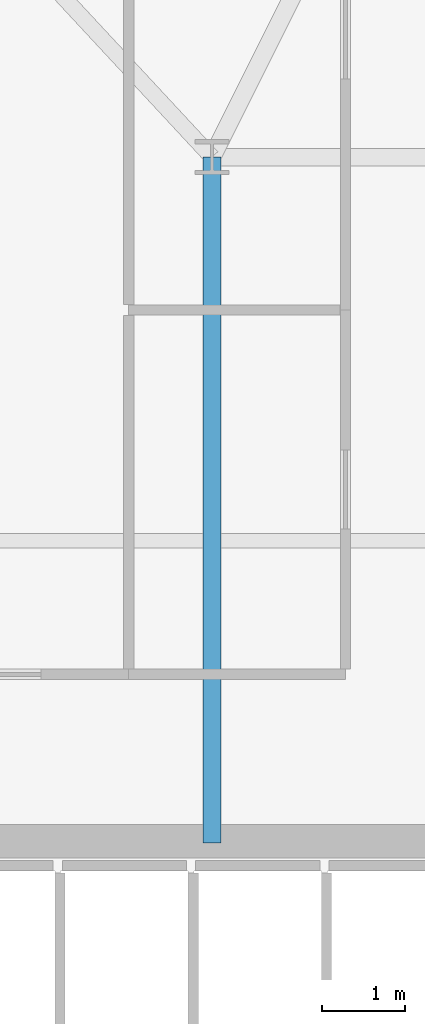
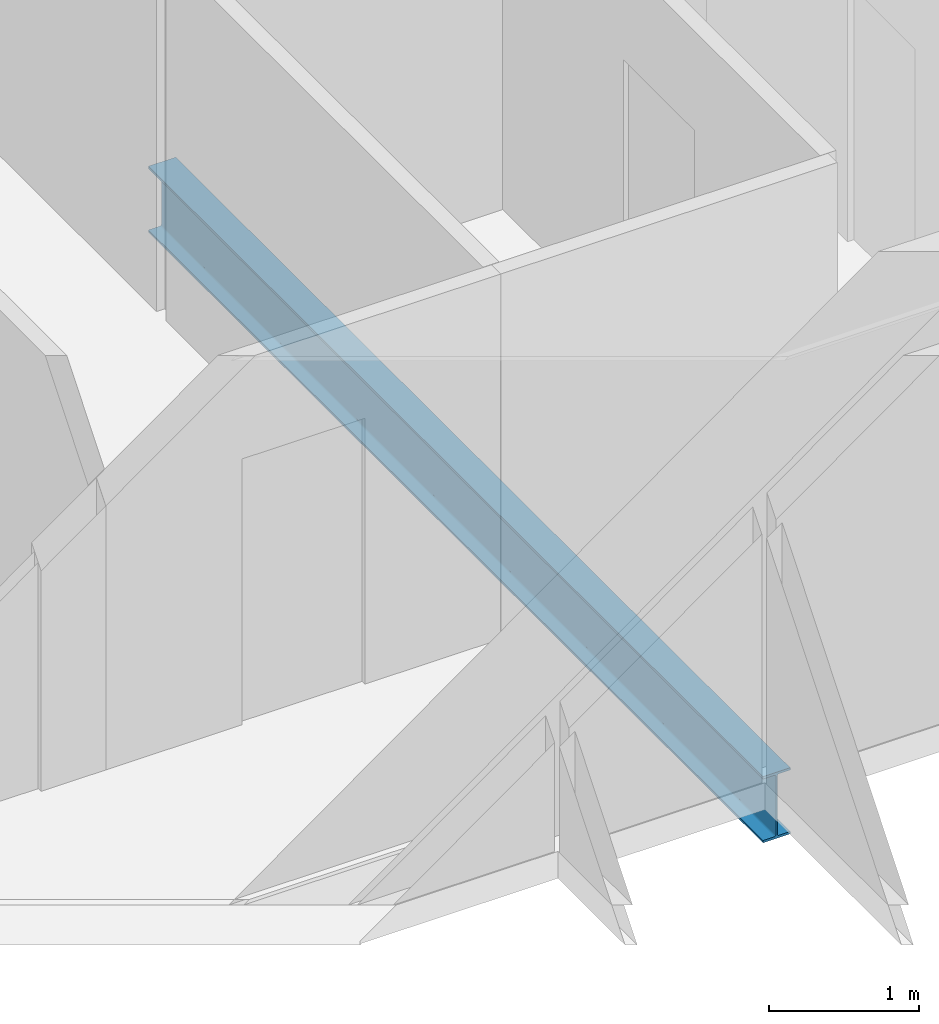
# One storey, part 6 of 33: 1 beam.
"""IFC4 building model written with IfcOpenShell, lengths in metres."""

from ifc_helpers import new_model, si_unit, direction, frame, origin, origin_2d, place, context, subcontext, project, spatial, i_section, extrude, material, material_profile, profile_set, type_object, element, save


model = new_model("IFC4")

# Units and contexts
model_context = context("Model", 3, precision=1e-05, world=origin(), true_north=direction((0.0, 1.0)))
body_context = subcontext(model_context, "Body", "Model", "MODEL_VIEW")
ifc_project = project(units=[si_unit("LENGTHUNIT", "METRE"), si_unit("AREAUNIT", "SQUARE_METRE"), si_unit("VOLUMEUNIT", "CUBIC_METRE"), si_unit("PLANEANGLEUNIT", "RADIAN"), si_unit("MASSUNIT", "GRAM", prefix="KILO")], contexts=[model_context])

# Site, building, storey
site_placement = place(None, origin())
site = spatial("IfcSite", under=ifc_project, at=site_placement, CompositionType="ELEMENT")
building_placement = place(site_placement, origin())
building = spatial("IfcBuilding", under=site, at=building_placement, Name="Ndaravel Arena Tower", CompositionType="ELEMENT")
storey_placement = place(building_placement, frame((0.0, 0.0, 168.800048828125)))
storey = spatial("IfcBuildingStorey", under=building, at=storey_placement, Name="L40", CompositionType="ELEMENT", Elevation=168.800048828125)

# Beam
ifc_material = material(Name="Steel S355", Category="steel")
ifc_material_profile = material_profile(ifc_material, i_section(OverallWidth=0.210693359375, OverallDepth=0.53955078125, WebThickness=0.01171875, FlangeThickness=0.018798828125, FilletRadius=0.0126953125, at=origin_2d()), Name="UB 533x210x109")
ifc_profile_set = profile_set([ifc_material_profile], Name="Steel S355")
beam_type = type_object("IfcBeamType", Name="BM-GIRD-UB533", PredefinedType="BEAM", material=ifc_profile_set)
beam_placement = place(storey_placement, frame((34.199951171875, 14.97998046875, -0.48974609375), z_axis=(0.0, 1.0, 0.0), x_axis=(-1.0, 0.0, 0.0)))
element("IfcBeam", 1, at=beam_placement, inside=storey, type_object=beam_type, Name="L40 Spine Link Girder SLG-01", PredefinedType="BEAM", context=body_context, shape_type="SweptSolid", body=[
    extrude(i_section(OverallWidth=0.210693359375, OverallDepth=0.53955078125, WebThickness=0.01171875, FlangeThickness=0.018798828125, FilletRadius=0.0126953125, at=origin_2d()), origin(), (0.0, 0.0, 1.0), 8.219970703125),
])

save(model, "model.ifc")
